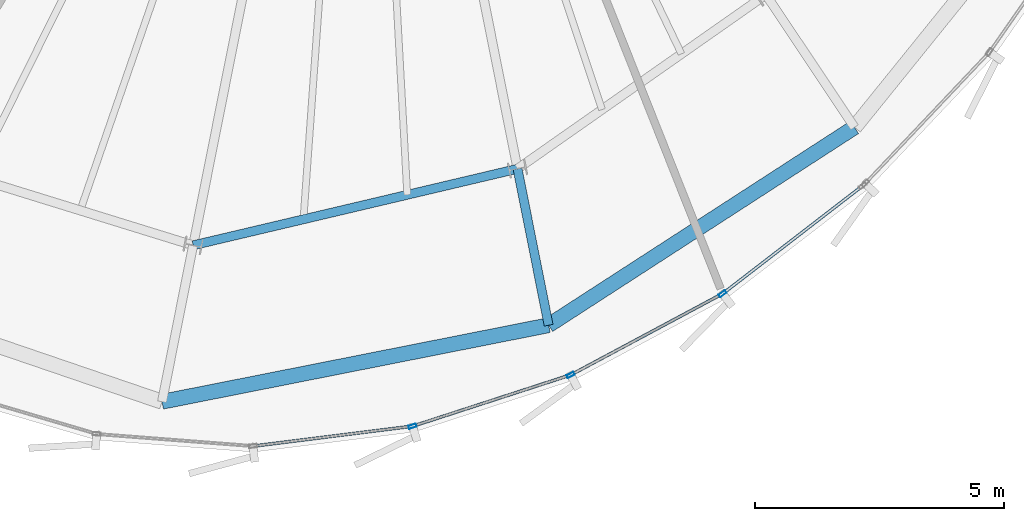
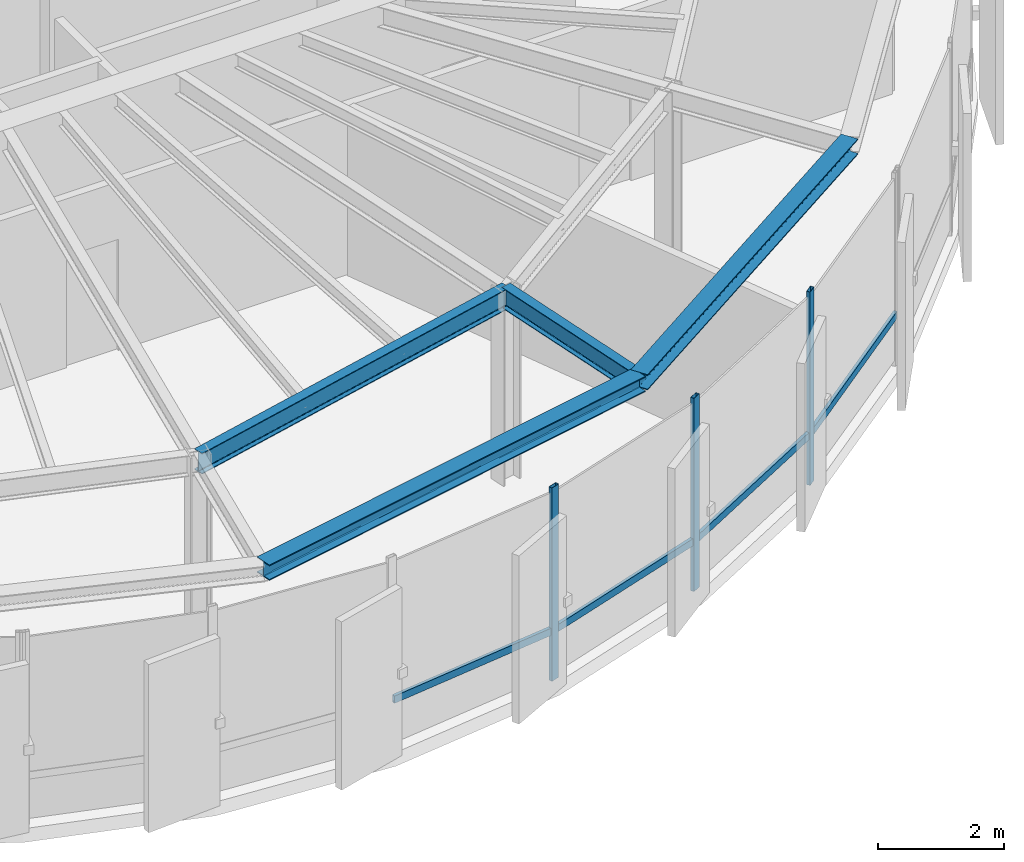
# One storey, part 6 of 25: 7 members, 4 beams, 1 element without a shape of its own.
"""IFC4 building model written with IfcOpenShell, lengths in metres."""

from ifc_helpers import new_model, si_unit, direction, frame, origin, origin_2d, place, context, subcontext, project, spatial, hollow_rectangle, i_section, extrude, source, transform, mapped, material, layer, layer_set, material_profile, profile_set, type_object, element, aggregate, save


model = new_model("IFC4")

# Units and contexts
model_context = context("Model", 3, precision=1e-05, world=origin(), true_north=direction((0.0, 1.0)))
body_context = subcontext(model_context, "Body", "Model", "MODEL_VIEW")
ifc_project = project(units=[si_unit("LENGTHUNIT", "METRE"), si_unit("AREAUNIT", "SQUARE_METRE"), si_unit("VOLUMEUNIT", "CUBIC_METRE"), si_unit("PLANEANGLEUNIT", "RADIAN"), si_unit("MASSUNIT", "GRAM", prefix="KILO"), si_unit("THERMODYNAMICTEMPERATUREUNIT", "KELVIN")], contexts=[model_context])

# Site, building, storey
site_placement = place(None, origin())
site = spatial("IfcSite", under=ifc_project, at=site_placement, CompositionType="ELEMENT")
building_placement = place(site_placement, origin())
building = spatial("IfcBuilding", under=site, at=building_placement, Name="Kethvar Cultural Tower", CompositionType="ELEMENT")
storey_placement = place(building_placement, frame((0.0, 0.0, 304.300048828125)))
storey = spatial("IfcBuildingStorey", under=building, at=storey_placement, Name="L81", CompositionType="ELEMENT", Elevation=304.300048828125)

# Beams
ifc_material_1 = material(Name="Steel S355J2", Category="steel")
ifc_material_profile_1 = material_profile(ifc_material_1, i_section(OverallWidth=0.179931640625, OverallDepth=0.39990234375, WebThickness=0.008544921875, FlangeThickness=0.013427734375, FilletRadius=0.02099609375, at=origin_2d()), Name="Steel S355J2 — IPE400")
ifc_profile_set_1 = profile_set([ifc_material_profile_1], Name="Steel S355J2 — IPE400")
beam_type_1 = type_object("IfcBeamType", Name="BM-IPE400", PredefinedType="BEAM", material=ifc_profile_set_1)
shared_shape_1 = source(origin(), body_context, "Body", "SweptSolid", [
    extrude(i_section(OverallWidth=0.179931640625, OverallDepth=0.39990234375, WebThickness=0.008544921875, FlangeThickness=0.013427734375, FilletRadius=0.02099609375, at=origin_2d()), origin(), (0.0, 0.0, 1.0), 3.199951171875),
])
beam_1_placement = place(storey_placement, frame((49.901611328125, 12.206787109375, 3.532958984375), z_axis=(0.195088965533, -0.980785550224, 0.0), x_axis=(0.980785550224, 0.195088965533, 0.0)))
element("IfcBeam", 1, at=beam_1_placement, inside=storey, type_object=beam_type_1, Name="L81 Perimeter Cantilever Beam RC-13", PredefinedType="BEAM", context=body_context, shape_type="MappedRepresentation", body=[
    mapped(shared_shape_1, transform((0.0, 0.0, 0.0), scale=1.0)),
])
shared_shape_2 = source(origin(), body_context, "Body", "SweptSolid", [
    extrude(i_section(OverallWidth=0.179931640625, OverallDepth=0.39990234375, WebThickness=0.008544921875, FlangeThickness=0.013427734375, FilletRadius=0.02099609375, at=origin_2d()), origin(), (0.0, 0.0, 1.0), 6.6875),
])
beam_2_placement = place(storey_placement, frame((43.392822265625, 10.67138671875, 3.532958984375), z_axis=(0.973286301494, 0.22959480683, 0.0), x_axis=(-0.22959480683, 0.973286301494, 0.0)))
element("IfcBeam", 2, at=beam_2_placement, inside=storey, type_object=beam_type_1, Name="L81 Column Ring Tie Beam CR-12", PredefinedType="BEAM", context=body_context, shape_type="MappedRepresentation", body=[
    mapped(shared_shape_2, transform((0.0, 0.0, 0.0), scale=1.0)),
])
ifc_material_profile_2 = material_profile(ifc_material_1, i_section(OverallWidth=0.300048828125, OverallDepth=0.300048828125, WebThickness=0.010986328125, FlangeThickness=0.01904296875, FilletRadius=0.027099609375, at=origin_2d()), Name="Steel S355J2 — HEB300")
ifc_profile_set_2 = profile_set([ifc_material_profile_2], Name="Steel S355J2 — HEB300")
beam_type_2 = type_object("IfcBeamType", Name="BM-SP300", PredefinedType="SPANDREL", material=ifc_profile_set_2)
shared_shape_3 = source(origin(), body_context, "Body", "SweptSolid", [
    extrude(i_section(OverallWidth=0.300048828125, OverallDepth=0.300048828125, WebThickness=0.010986328125, FlangeThickness=0.01904296875, FilletRadius=0.027099609375, at=origin_2d()), origin(), (0.0, 0.0, 1.0), 7.907958984375),
])
beam_3_placement = place(storey_placement, frame((42.7685546875, 7.53271484375, 3.5830078125), z_axis=(0.980963515828, 0.194192122948, 0.0), x_axis=(-0.194192122948, 0.980963515828, 0.0)))
element("IfcBeam", 3, at=beam_3_placement, inside=storey, type_object=beam_type_2, Name="L81 Perimeter Spandrel Beam SP-12", PredefinedType="SPANDREL", context=body_context, shape_type="MappedRepresentation", body=[
    mapped(shared_shape_3, transform((0.0, 0.0, 0.0), scale=1.0)),
])
shared_shape_4 = source(origin(), body_context, "Body", "SweptSolid", [
    extrude(i_section(OverallWidth=0.300048828125, OverallDepth=0.300048828125, WebThickness=0.010986328125, FlangeThickness=0.01904296875, FilletRadius=0.027099609375, at=origin_2d()), origin(), (0.0, 0.0, 1.0), 7.309326171875),
])
beam_4_placement = place(storey_placement, frame((50.52587890625, 9.068359375, 3.5830078125), z_axis=(0.839562091992, 0.543263742292, 0.0), x_axis=(-0.543263742292, 0.839562091992, 0.0)))
element("IfcBeam", 4, at=beam_4_placement, inside=storey, type_object=beam_type_2, Name="L81 Perimeter Spandrel Beam SP-13", PredefinedType="SPANDREL", context=body_context, shape_type="MappedRepresentation", body=[
    mapped(shared_shape_4, transform((0.0, 0.0, 0.0), scale=1.0)),
])

# Curtain wall, members
ifc_material_2 = material(Name="Aluminium 6063-T6", Category="aluminium")
ifc_layer = layer(ifc_material_2, 0.179931640625, Name="Aluminium 6063-T6", Category="aluminium")
ifc_layer_set = layer_set([ifc_layer], Name="Aluminium 6063-T6 (180 mm)")
curtain_wall_type = type_object("IfcCurtainWallType", Name="CW-SYS-06-CROWN", PredefinedType="NOTDEFINED", material=ifc_layer_set)
curtain_wall_placement = place(storey_placement, origin())
curtain_wall = element("IfcCurtainWall", 5, at=curtain_wall_placement, inside=storey, type_object=curtain_wall_type, Name="L81 Curtain Wall Run 04", PredefinedType="NOTDEFINED")
ifc_material_profile_3 = material_profile(ifc_material_2, hollow_rectangle(XDim=0.06494140625, YDim=0.159912109375, WallThickness=0.0048828125, at=origin_2d()), Name="Aluminium 6063-T6 — RHS160x65x5")
ifc_profile_set_3 = profile_set([ifc_material_profile_3], Name="Aluminium 6063-T6 — RHS160x65x5")
member_type_1 = type_object("IfcMemberType", Name="CW-SYS-06-CROWN-MUL", PredefinedType="MULLION", material=ifc_profile_set_3)
shared_shape_5 = source(origin(), body_context, "Body", "SweptSolid", [
    extrude(hollow_rectangle(XDim=0.06494140625, YDim=0.159912109375, WallThickness=0.0048828125, at=origin_2d()), origin(), (0.0, 0.0, 1.0), 3.73486328125),
])
member_1_placement = place(storey_placement, frame((47.794189453125, 7.040283203125, 0.0), z_axis=(0.0, 0.0, 1.0), x_axis=(-0.309066791154, 0.951040334899, 0.0)))
member_1 = element("IfcMember", 6, at=member_1_placement, type_object=member_type_1, Name="CW-L81-R04 Mullion 4", PredefinedType="MULLION", context=body_context, shape_type="MappedRepresentation", body=[
    mapped(shared_shape_5, transform((0.0, 0.0, 0.0), scale=1.0)),
])
member_2_placement = place(storey_placement, frame((50.968017578125, 8.069580078125, 0.0), z_axis=(0.0, 0.0, 1.0), x_axis=(-0.471858445081, 0.881674320714, 0.0)))
member_2 = element("IfcMember", 7, at=member_2_placement, type_object=member_type_1, Name="CW-L81-R04 Mullion 5", PredefinedType="MULLION", context=body_context, shape_type="MappedRepresentation", body=[
    mapped(shared_shape_5, transform((0.0, 0.0, 0.0), scale=1.0)),
])
member_3_placement = place(storey_placement, frame((54.016357421875, 9.69921875, 0.0), z_axis=(0.0, 0.0, 1.0), x_axis=(-0.610753418696, 0.79182085193, 0.0)))
member_3 = element("IfcMember", 8, at=member_3_placement, type_object=member_type_1, Name="CW-L81-R04 Mullion 6", PredefinedType="MULLION", context=body_context, shape_type="MappedRepresentation", body=[
    mapped(shared_shape_5, transform((0.0, 0.0, 0.0), scale=1.0)),
])
ifc_material_profile_4 = material_profile(ifc_material_2, hollow_rectangle(XDim=0.06005859375, YDim=0.139892578125, WallThickness=0.0048828125, at=origin_2d()), Name="Aluminium 6063-T6 — RHS140x60x5")
ifc_profile_set_4 = profile_set([ifc_material_profile_4], Name="Aluminium 6063-T6 — RHS140x60x5")
member_type_2 = type_object("IfcMemberType", Name="CW-SYS-06-CROWN-TRN", PredefinedType="USERDEFINED", material=ifc_profile_set_4)
shared_shape_6 = source(origin(), body_context, "Body", "SweptSolid", [
    extrude(hollow_rectangle(XDim=0.06005859375, YDim=0.139892578125, WallThickness=0.0048828125, at=origin_2d()), origin(), (0.0, 0.0, 1.0), 3.3828125),
])
member_4_placement = place(storey_placement, frame((51.00927734375, 8.091796875, 0.949951171875), z_axis=(0.881668737455, 0.471868877332, 0.0), x_axis=(-0.471868877332, 0.881668737455, 0.0)))
member_4 = element("IfcMember", 9, at=member_4_placement, type_object=member_type_2, Name="CW-L81-R04 Transom 5", ObjectType="TRANSOM", PredefinedType="USERDEFINED", context=body_context, shape_type="MappedRepresentation", body=[
    mapped(shared_shape_6, transform((0.0, 0.0, 0.0), scale=1.0)),
])
shared_shape_7 = source(origin(), body_context, "Body", "SweptSolid", [
    extrude(hollow_rectangle(XDim=0.06005859375, YDim=0.139892578125, WallThickness=0.0048828125, at=origin_2d()), origin(), (0.0, 0.0, 1.0), 3.15673828125),
])
member_5_placement = place(storey_placement, frame((44.6376953125, 6.6474609375, 0.949951171875), z_axis=(0.992265973761, 0.124129921114, 0.0), x_axis=(-0.124129921114, 0.992265973761, 0.0)))
member_5 = element("IfcMember", 10, at=member_5_placement, type_object=member_type_2, Name="CW-L81-R04 Transom 3", ObjectType="TRANSOM", PredefinedType="USERDEFINED", context=body_context, shape_type="MappedRepresentation", body=[
    mapped(shared_shape_7, transform((0.0, 0.0, 0.0), scale=1.0)),
])
shared_shape_8 = source(origin(), body_context, "Body", "SweptSolid", [
    extrude(hollow_rectangle(XDim=0.06005859375, YDim=0.139892578125, WallThickness=0.0048828125, at=origin_2d()), origin(), (0.0, 0.0, 1.0), 3.264404296875),
])
member_6_placement = place(storey_placement, frame((47.838623046875, 7.0546875, 0.949951171875), z_axis=(0.951027473142, 0.30910636572, 0.0), x_axis=(-0.30910636572, 0.951027473142, 0.0)))
member_6 = element("IfcMember", 11, at=member_6_placement, type_object=member_type_2, Name="CW-L81-R04 Transom 4", ObjectType="TRANSOM", PredefinedType="USERDEFINED", context=body_context, shape_type="MappedRepresentation", body=[
    mapped(shared_shape_8, transform((0.0, 0.0, 0.0), scale=1.0)),
])
shared_shape_9 = source(origin(), body_context, "Body", "SweptSolid", [
    extrude(hollow_rectangle(XDim=0.06005859375, YDim=0.139892578125, WallThickness=0.0048828125, at=origin_2d()), origin(), (0.0, 0.0, 1.0), 3.497802734375),
])
member_7_placement = place(storey_placement, frame((54.053466796875, 9.727783203125, 0.949951171875), z_axis=(0.791818904853, 0.610755943006, 0.0), x_axis=(-0.610755943006, 0.791818904853, 0.0)))
member_7 = element("IfcMember", 12, at=member_7_placement, type_object=member_type_2, Name="CW-L81-R04 Transom 6", ObjectType="TRANSOM", PredefinedType="USERDEFINED", context=body_context, shape_type="MappedRepresentation", body=[
    mapped(shared_shape_9, transform((0.0, 0.0, 0.0), scale=1.0)),
])
aggregate(curtain_wall, [member_1, member_2, member_3, member_5, member_6, member_4, member_7])

save(model, "model.ifc")
